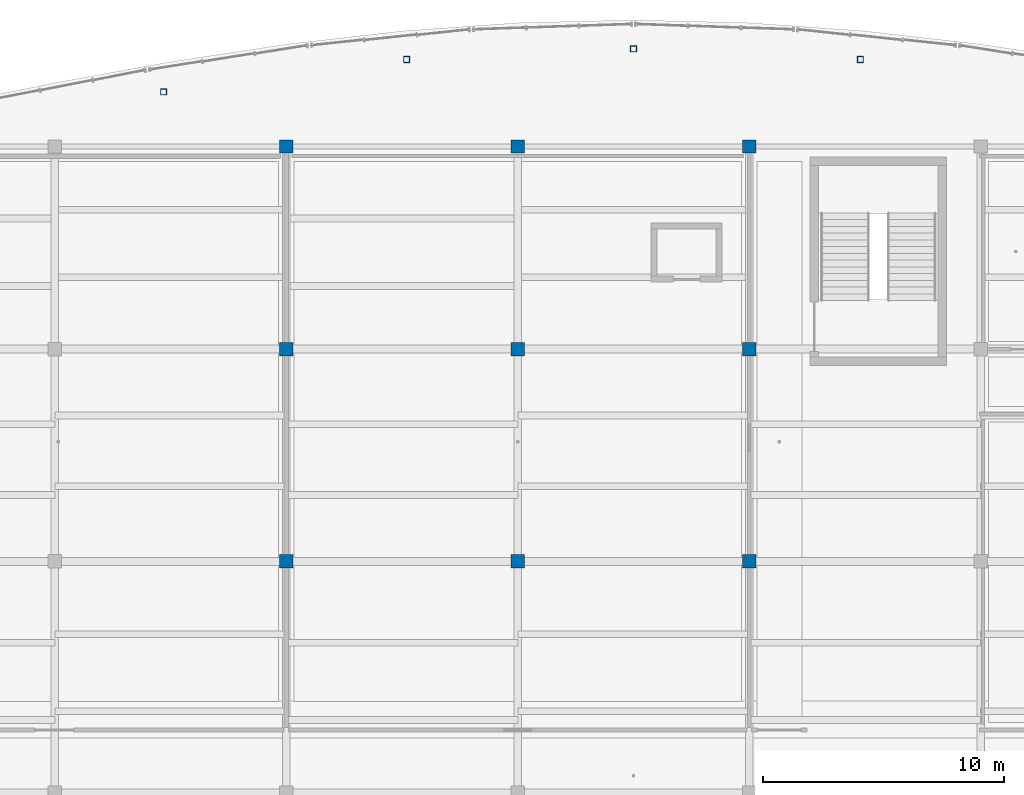
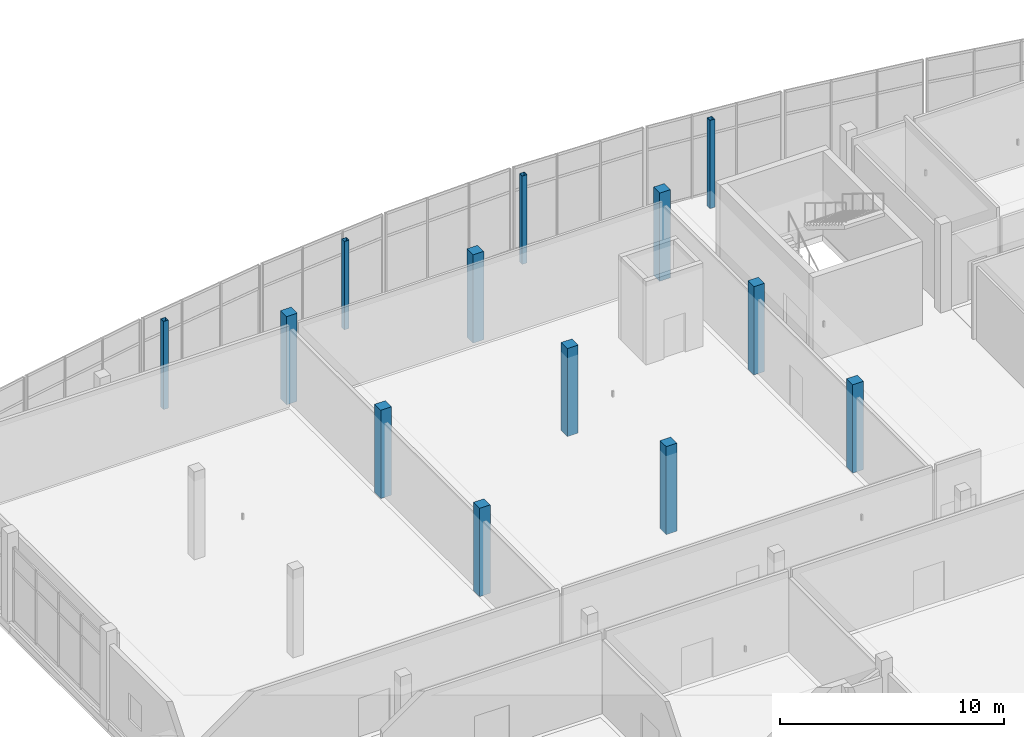
# One storey, part 10 of 157: 13 columns.
"""IFC4 building model written with IfcOpenShell, lengths in metres."""

from ifc_helpers import new_model, si_unit, direction, frame, origin, origin_2d, place, context, subcontext, project, spatial, rectangle, hollow_rectangle, extrude, material, material_profile, profile_set, type_object, element, save


model = new_model("IFC4")

# Units and contexts
model_context = context("Model", 3, precision=1e-05, world=origin(), true_north=direction((0.0, 1.0)))
body_context = subcontext(model_context, "Body", "Model", "MODEL_VIEW")
ifc_project = project(units=[si_unit("LENGTHUNIT", "METRE"), si_unit("AREAUNIT", "SQUARE_METRE"), si_unit("VOLUMEUNIT", "CUBIC_METRE"), si_unit("PLANEANGLEUNIT", "RADIAN"), si_unit("MASSUNIT", "GRAM", prefix="KILO")], contexts=[model_context])

# Site, building, storey
site_placement = place(None, origin())
site = spatial("IfcSite", under=ifc_project, at=site_placement, CompositionType="ELEMENT")
building_placement = place(site_placement, origin())
building = spatial("IfcBuilding", under=site, at=building_placement, Name="Chalmorin Arch Market", CompositionType="ELEMENT")
storey_placement = place(building_placement, frame((0.0, 0.0, 4.800048828125)))
storey = spatial("IfcBuildingStorey", under=building, at=storey_placement, Name="L01", CompositionType="ELEMENT", Elevation=4.800048828125)

# Columns
ifc_material_1 = material(Name="Concrete C40/50", Category="concrete")
ifc_material_profile_1 = material_profile(ifc_material_1, rectangle(XDim=0.550048828125, YDim=0.550048828125, at=origin_2d()), Name="RC550X550")
ifc_profile_set_1 = profile_set([ifc_material_profile_1], Name="Concrete C40/50")
column_type_1 = type_object("IfcColumnType", Name="MidConcreteColumn-550x550", PredefinedType="COLUMN", material=ifc_profile_set_1)
for number, where, z_axis, x_axis, name in (
    (1, (67.199951171875, 100.800048828125, 0.0), (0.0, 0.0, 1.0), (1.0, 0.0, 0.0), "C-RC7-352"),
    (2, (67.199951171875, 109.60009765625, 0.0), (0.0, 0.0, 1.0), (1.0, 0.0, 0.0), "C-RC7-357"),
    (3, (67.199951171875, 118.0, 0.0), (0.0, 0.0, 1.0), (1.0, 0.0, 0.0), "C-RC7-362"),
    (4, (76.800048828125, 100.800048828125, 0.0), (0.0, 0.0, 1.0), (1.0, 0.0, 0.0), "C-RC7-407"),
    (5, (76.800048828125, 109.60009765625, 0.0), (0.0, 0.0, 1.0), (1.0, 0.0, 0.0), "C-RC7-412"),
    (6, (76.800048828125, 118.0, 0.0), (0.0, 0.0, 1.0), (1.0, 0.0, 0.0), "C-RC7-417"),
    (7, (86.39990234375, 100.800048828125, 0.0), (0.0, 0.0, 1.0), (1.0, 0.0, 0.0), "C-RC7-462"),
    (8, (86.39990234375, 109.60009765625, 0.0), (0.0, 0.0, 1.0), (1.0, 0.0, 0.0), "C-RC7-467"),
    (9, (86.39990234375, 118.0, 0.0), (0.0, 0.0, 1.0), (1.0, 0.0, 0.0), "C-RC7-472"),
):
    element("IfcColumn", number, at=place(storey_placement, frame(where, z_axis=z_axis, x_axis=x_axis)), inside=storey, type_object=column_type_1, Name=name, PredefinedType="COLUMN", context=body_context, shape_type="SweptSolid", body=[
        extrude(rectangle(XDim=0.550048828125, YDim=0.550048828125, at=origin_2d()), origin(), (0.0, 0.0, 1.0), 4.800048828125),
    ])
ifc_material_2 = material(Name="Steel A500 Grade C", Category="steel")
ifc_material_profile_2 = material_profile(ifc_material_2, hollow_rectangle(XDim=0.25390625, YDim=0.25390625, WallThickness=0.01171875, at=origin_2d()), Name="HSS10X10X1/2")
ifc_profile_set_2 = profile_set([ifc_material_profile_2], Name="Steel A500 Grade C")
column_type_2 = type_object("IfcColumnType", Name="SteelTubeColumn-HSS10X10", PredefinedType="COLUMN", material=ifc_profile_set_2)
for number, where, z_axis, x_axis, name in (
    (10, (62.112060546875, 120.26904296875, 0.0), (0.0, 0.0, 1.0), (1.0, 0.0, 0.0), "C-HS2-705"),
    (11, (72.19189453125, 121.612060546875, 0.0), (0.0, 0.0, 1.0), (1.0, 0.0, 0.0), "C-HS2-713"),
    (12, (81.60009765625, 122.050048828125, 0.0), (0.0, 0.0, 1.0), (1.0, 0.0, 0.0), "C-HS2-721"),
    (13, (91.008056640625, 121.612060546875, 0.0), (0.0, 0.0, 1.0), (1.0, 0.0, 0.0), "C-HS2-729"),
):
    element("IfcColumn", number, at=place(storey_placement, frame(where, z_axis=z_axis, x_axis=x_axis)), inside=storey, type_object=column_type_2, Name=name, PredefinedType="COLUMN", context=body_context, shape_type="SweptSolid", body=[
        extrude(hollow_rectangle(XDim=0.25390625, YDim=0.25390625, WallThickness=0.01171875, at=origin_2d()), origin(), (0.0, 0.0, 1.0), 4.800048828125),
    ])

save(model, "model.ifc")
